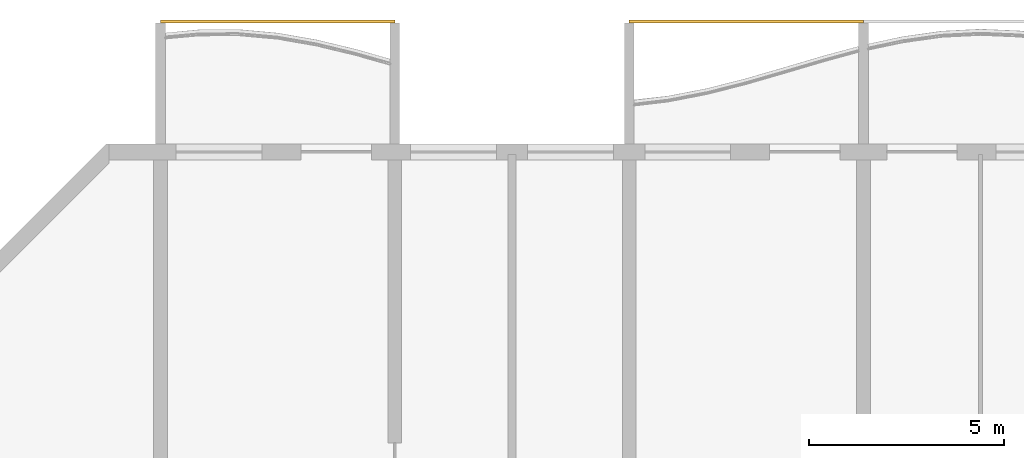
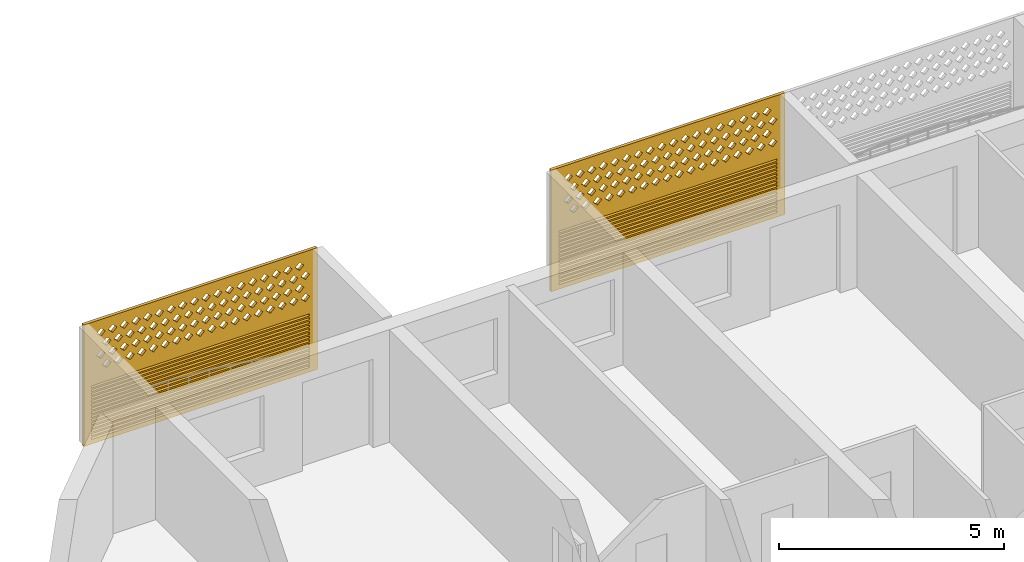
# One storey, part 20 of 29: 2 coverings.
"""IFC4 building model written with IfcOpenShell, lengths in metres."""

import ifcopenshell
import ifcopenshell.guid

model = None  # the IFC model being written
_history = None  # IfcOwnerHistory: only IFC2X3 demands one
_inside = {}  # id of a spatial element -> (the spatial element, [elements in it])
_under = {}  # id of a project, library or spatial element -> (it, [spatial elements below it])
_declared = {}  # id of a project -> (the project, [libraries it declares])
_typed = {}  # id of a type object -> (the type object, [elements of that type])
_made_of = {}  # id of a material, layer set ... -> (it, [elements and type objects made of it])


def new_model(schema):
    """Start an empty IFC model of exactly this schema.

    Asked for "IFC4X3", IfcOpenShell would pick the latest addendum, in which some entities
    have other attributes; the version numbers below select the first issue.
    IFC2X3 requires an IfcOwnerHistory on every rooted entity: one is made here for all.
    """
    global model, _history
    if schema == "IFC4X3":
        model = ifcopenshell.file(schema_version=(4, 3, 0, 0))
    else:
        model = ifcopenshell.file(schema=schema)
    _inside.clear()
    _under.clear()
    _declared.clear()
    _typed.clear()
    _made_of.clear()
    _history = None
    if model.schema == "IFC2X3":
        org = make("IfcOrganization", Name="unknown")
        user = make(
            "IfcPersonAndOrganization",
            ThePerson=make("IfcPerson", FamilyName="unknown"),
            TheOrganization=org,
        )
        app = make(
            "IfcApplication",
            ApplicationDeveloper=org,
            Version="unknown",
            ApplicationFullName="unknown",
            ApplicationIdentifier="unknown",
        )
        _history = make(
            "IfcOwnerHistory",
            OwningUser=user,
            OwningApplication=app,
            ChangeAction="ADDED",
            CreationDate=0,
        )
    return model


def make(cls, **values):
    """One entity of the class cls with the attributes given. An attribute that is None is left unset."""
    return model.create_entity(
        cls, **{name: value for name, value in values.items() if value is not None}
    )


def rooted(cls, **values):
    """An entity with a GlobalId (a new one), such as an element, a storey or a relation."""
    return make(cls, GlobalId=ifcopenshell.guid.new(), OwnerHistory=_history, **values)


def si_unit(unit_type, name, prefix=None):
    """IfcSIUnit, for example si_unit("LENGTHUNIT", "METRE", prefix="MILLI")."""
    return make("IfcSIUnit", UnitType=unit_type, Prefix=prefix, Name=name)


def assignment(units):
    """IfcUnitAssignment: the units of a project."""
    return None if units is None else make("IfcUnitAssignment", Units=units)


def point(xyz):
    """IfcCartesianPoint."""
    return None if xyz is None else make("IfcCartesianPoint", Coordinates=xyz)


def direction(xyz):
    """IfcDirection."""
    return None if xyz is None else make("IfcDirection", DirectionRatios=xyz)


def frame(location, z_axis=None, x_axis=None):
    """IfcAxis2Placement3D, a coordinate frame: its origin and axes. An axis left out is left unset."""
    return make(
        "IfcAxis2Placement3D",
        Location=point(location),
        Axis=direction(z_axis),
        RefDirection=direction(x_axis),
    )


def origin():
    """The frame at (0, 0, 0) with its axes left unset."""
    return frame((0.0, 0.0, 0.0))


def place(relative_to, where):
    """IfcLocalPlacement: puts the frame where relative to a parent placement (None: the world)."""
    return make(
        "IfcLocalPlacement", PlacementRelTo=relative_to, RelativePlacement=where
    )


def context(
    kind, dimensions, precision=None, world=None, true_north=None, identifier=None
):
    """IfcGeometricRepresentationContext, for example the 3D "Model" context."""
    return make(
        "IfcGeometricRepresentationContext",
        ContextIdentifier=identifier,
        ContextType=kind,
        CoordinateSpaceDimension=dimensions,
        Precision=precision,
        WorldCoordinateSystem=world,
        TrueNorth=true_north,
    )


def subcontext(parent, identifier, kind, view, scale=None):
    """IfcGeometricRepresentationSubContext, for example "Body" below "Model"."""
    return make(
        "IfcGeometricRepresentationSubContext",
        ContextIdentifier=identifier,
        ContextType=kind,
        ParentContext=parent,
        TargetScale=scale,
        TargetView=view,
    )


def project(units=None, contexts=None):
    """IfcProject with its units and contexts."""
    return rooted(
        "IfcProject",
        Name="project",
        RepresentationContexts=contexts,
        UnitsInContext=assignment(units),
    )


def spatial(cls, under=None, at=None, **own):
    """A site, building, storey or space (cls), placed at a placement, below another one or the project."""
    s = rooted(cls, ObjectPlacement=at, **own)
    if under is not None:
        _under.setdefault(under.id(), (under, []))[1].append(s)
    return s


def polyline(points):
    """IfcPolyline through the points."""
    return make("IfcPolyline", Points=[point(p) for p in points])


def outline(outer, holes=None, kind="AREA"):
    """IfcArbitraryClosedProfileDef: a profile drawn as a closed curve; with holes, ...WithVoids."""
    if holes is None:
        return make("IfcArbitraryClosedProfileDef", ProfileType=kind, OuterCurve=outer)
    return make(
        "IfcArbitraryProfileDefWithVoids",
        ProfileType=kind,
        OuterCurve=outer,
        InnerCurves=holes,
    )


def extrude(swept, where, along, depth):
    """IfcExtrudedAreaSolid: the profile swept, set in the frame where, extruded along a direction by depth."""
    return make(
        "IfcExtrudedAreaSolid",
        SweptArea=swept,
        Position=where,
        ExtrudedDirection=direction(along),
        Depth=depth,
    )


def shape(context_of_items, identifier, shape_type, items):
    """IfcShapeRepresentation: the items that make up one representation, for example the "Body"."""
    return make(
        "IfcShapeRepresentation",
        ContextOfItems=context_of_items,
        RepresentationIdentifier=identifier,
        RepresentationType=shape_type,
        Items=items,
    )


def source(mapping_origin, context_of_items, identifier, shape_type, items):
    """IfcRepresentationMap: a shape defined once, which mapped items show again and again."""
    return make(
        "IfcRepresentationMap",
        MappingOrigin=mapping_origin,
        MappedRepresentation=shape(context_of_items, identifier, shape_type, items),
    )


def transform(
    local_origin,
    x_axis=None,
    y_axis=None,
    z_axis=None,
    scale=None,
    scale2=None,
    scale3=None,
    uniform=True,
):
    """IfcCartesianTransformationOperator3D, or its non-uniform kind. x_axis, y_axis, z_axis: its Axis1, 2, 3."""
    if uniform:
        return make(
            "IfcCartesianTransformationOperator3D",
            Axis1=direction(x_axis),
            Axis2=direction(y_axis),
            LocalOrigin=point(local_origin),
            Scale=scale,
            Axis3=direction(z_axis),
        )
    return make(
        "IfcCartesianTransformationOperator3DnonUniform",
        Axis1=direction(x_axis),
        Axis2=direction(y_axis),
        LocalOrigin=point(local_origin),
        Scale=scale,
        Axis3=direction(z_axis),
        Scale2=scale2,
        Scale3=scale3,
    )


def mapped(mapping_source, mapping_target):
    """IfcMappedItem: shows the shape of a source again, moved by a transform."""
    return make(
        "IfcMappedItem", MappingSource=mapping_source, MappingTarget=mapping_target
    )


def material(Name=None, Category=None):
    """IfcMaterial."""
    return make("IfcMaterial", Name=Name, Category=Category)


def material_profile(
    of_material, cross_section, Name=None, Category=None, Priority=None
):
    """IfcMaterialProfile: a cross section and its material."""
    return make(
        "IfcMaterialProfile",
        Name=Name,
        Material=of_material,
        Profile=cross_section,
        Priority=Priority,
        Category=Category,
    )


def profile_set(profiles, Name=None, composite=None):
    """IfcMaterialProfileSet."""
    return make(
        "IfcMaterialProfileSet",
        Name=Name,
        MaterialProfiles=profiles,
        CompositeProfile=composite,
    )


def made_of(thing, what):
    """Note that an element or type object is made of a material, layer set ...; save() writes the relation."""
    if what is not None:
        _made_of.setdefault(what.id(), (what, []))[1].append(thing)
    return thing


def type_object(cls, material=None, **own):
    """A type object (cls), such as IfcWallType, which elements share."""
    return made_of(rooted(cls, **own), material)


def element(
    cls,
    number,
    at=None,
    inside=None,
    cuts=None,
    type_object=None,
    material=None,
    context=None,
    identifier="Body",
    shape_type=None,
    held_by="IfcProductDefinitionShape",
    body=None,
    shapes=None,
    **own,
):
    """One element of the class cls, such as IfcWall. Its Tag is "e" and its number.

    at: its placement. inside: the storey or other place that contains it. cuts: it is an
    opening in that element (IfcRelVoidsElement). A single representation is given by context,
    identifier, shape_type and body (its items); several are given by shapes. held_by: the class
    of the entity that holds the representations. save() writes the other relations.
    """
    e = rooted(cls, Tag="e%d" % number, ObjectPlacement=at, **own)
    if body is not None:
        shapes = [shape(context, identifier, shape_type, body)]
    if shapes is not None:
        e.Representation = make(held_by, Representations=shapes)
    if inside is not None:
        _inside.setdefault(inside.id(), (inside, []))[1].append(e)
    if cuts is not None:
        rooted(
            "IfcRelVoidsElement", RelatingBuildingElement=cuts, RelatedOpeningElement=e
        )
    if type_object is not None:
        _typed.setdefault(type_object.id(), (type_object, []))[1].append(e)
    return made_of(e, material)


def aggregate(whole, parts):
    """IfcRelAggregates: a whole, such as a stair, and the parts it consists of."""
    return rooted("IfcRelAggregates", RelatingObject=whole, RelatedObjects=parts)


def save(model, path):
    """Write the relations noted so far, then the file.

    IfcRelAggregates (storeys below a building ...), IfcRelContainedInSpatialStructure (elements
    in a storey), IfcRelDefinesByType, IfcRelAssociatesMaterial and IfcRelDeclares: one each for
    every whole, place, type object, material and project.
    """
    for whole, parts in _under.values():
        aggregate(whole, parts)
    for where, things in _inside.values():
        rooted(
            "IfcRelContainedInSpatialStructure",
            RelatedElements=things,
            RelatingStructure=where,
        )
    for kind, things in _typed.values():
        rooted("IfcRelDefinesByType", RelatedObjects=things, RelatingType=kind)
    for what, things in _made_of.values():
        rooted("IfcRelAssociatesMaterial", RelatedObjects=things, RelatingMaterial=what)
    for by, libraries in _declared.values():
        rooted("IfcRelDeclares", RelatingContext=by, RelatedDefinitions=libraries)
    model.write(path)


model = new_model("IFC4")

# Units and contexts
model_context = context("Model", 3, precision=1e-05, world=origin(), true_north=direction((0.0, 1.0)))
body_context = subcontext(model_context, "Body", "Model", "MODEL_VIEW")
ifc_project = project(units=[si_unit("LENGTHUNIT", "METRE"), si_unit("AREAUNIT", "SQUARE_METRE"), si_unit("VOLUMEUNIT", "CUBIC_METRE"), si_unit("PLANEANGLEUNIT", "RADIAN"), si_unit("MASSUNIT", "GRAM", prefix="KILO")], contexts=[model_context])

# Site, building, storey
site_placement = place(None, origin())
site = spatial("IfcSite", under=ifc_project, at=site_placement, CompositionType="ELEMENT")
building_placement = place(site_placement, origin())
building = spatial("IfcBuilding", under=site, at=building_placement, Name="Poui Terraces", CompositionType="ELEMENT")
storey_placement = place(building_placement, frame((0.0, 0.0, 86.10009765625)))
storey = spatial("IfcBuildingStorey", under=building, at=storey_placement, Name="L23", CompositionType="ELEMENT", Elevation=86.10009765625)

# Coverings
ifc_material = material(Name="Terracotta screen", Category="masonry")
ifc_material_profile = material_profile(ifc_material, outline(polyline([(-3.0, -1.64990234375), (3.0, -1.64990234375), (3.0, 1.64990234375), (-3.0, 1.64990234375), (-3.0, -1.64990234375)]), holes=[polyline([(-2.800048828125, 0.39990234375), (-2.68994140625, 0.2900390625), (-2.580078125, 0.39990234375), (-2.68994140625, 0.510009765625), (-2.800048828125, 0.39990234375)]), polyline([(-2.5, 0.39990234375), (-2.389892578125, 0.2900390625), (-2.280029296875, 0.39990234375), (-2.389892578125, 0.510009765625), (-2.5, 0.39990234375)]), polyline([(-2.199951171875, 0.39990234375), (-2.090087890625, 0.2900390625), (-1.97998046875, 0.39990234375), (-2.090087890625, 0.510009765625), (-2.199951171875, 0.39990234375)]), polyline([(-1.89990234375, 0.39990234375), (-1.7900390625, 0.2900390625), (-1.679931640625, 0.39990234375), (-1.7900390625, 0.510009765625), (-1.89990234375, 0.39990234375)]), polyline([(-1.60009765625, 0.39990234375), (-1.489990234375, 0.2900390625), (-1.3798828125, 0.39990234375), (-1.489990234375, 0.510009765625), (-1.60009765625, 0.39990234375)]), polyline([(-1.300048828125, 0.39990234375), (-1.18994140625, 0.2900390625), (-1.080078125, 0.39990234375), (-1.18994140625, 0.510009765625), (-1.300048828125, 0.39990234375)]), polyline([(-1.0, 0.39990234375), (-0.889892578125, 0.2900390625), (-0.780029296875, 0.39990234375), (-0.889892578125, 0.510009765625), (-1.0, 0.39990234375)]), polyline([(-0.699951171875, 0.39990234375), (-0.590087890625, 0.2900390625), (-0.47998046875, 0.39990234375), (-0.590087890625, 0.510009765625), (-0.699951171875, 0.39990234375)]), polyline([(-0.39990234375, 0.39990234375), (-0.2900390625, 0.2900390625), (-0.179931640625, 0.39990234375), (-0.2900390625, 0.510009765625), (-0.39990234375, 0.39990234375)]), polyline([(-0.10009765625, 0.39990234375), (0.010009765625, 0.2900390625), (0.1201171875, 0.39990234375), (0.010009765625, 0.510009765625), (-0.10009765625, 0.39990234375)]), polyline([(0.199951171875, 0.39990234375), (0.31005859375, 0.2900390625), (0.419921875, 0.39990234375), (0.31005859375, 0.510009765625), (0.199951171875, 0.39990234375)]), polyline([(0.5, 0.39990234375), (0.610107421875, 0.2900390625), (0.719970703125, 0.39990234375), (0.610107421875, 0.510009765625), (0.5, 0.39990234375)]), polyline([(0.800048828125, 0.39990234375), (0.909912109375, 0.2900390625), (1.02001953125, 0.39990234375), (0.909912109375, 0.510009765625), (0.800048828125, 0.39990234375)]), polyline([(1.10009765625, 0.39990234375), (1.2099609375, 0.2900390625), (1.320068359375, 0.39990234375), (1.2099609375, 0.510009765625), (1.10009765625, 0.39990234375)]), polyline([(1.39990234375, 0.39990234375), (1.510009765625, 0.2900390625), (1.6201171875, 0.39990234375), (1.510009765625, 0.510009765625), (1.39990234375, 0.39990234375)]), polyline([(1.699951171875, 0.39990234375), (1.81005859375, 0.2900390625), (1.919921875, 0.39990234375), (1.81005859375, 0.510009765625), (1.699951171875, 0.39990234375)]), polyline([(2.0, 0.39990234375), (2.110107421875, 0.2900390625), (2.219970703125, 0.39990234375), (2.110107421875, 0.510009765625), (2.0, 0.39990234375)]), polyline([(2.300048828125, 0.39990234375), (2.409912109375, 0.2900390625), (2.52001953125, 0.39990234375), (2.409912109375, 0.510009765625), (2.300048828125, 0.39990234375)]), polyline([(-2.64990234375, 0.699951171875), (-2.5400390625, 0.590087890625), (-2.429931640625, 0.699951171875), (-2.5400390625, 0.81005859375), (-2.64990234375, 0.699951171875)]), polyline([(-2.35009765625, 0.699951171875), (-2.239990234375, 0.590087890625), (-2.1298828125, 0.699951171875), (-2.239990234375, 0.81005859375), (-2.35009765625, 0.699951171875)]), polyline([(-2.050048828125, 0.699951171875), (-1.93994140625, 0.590087890625), (-1.830078125, 0.699951171875), (-1.93994140625, 0.81005859375), (-2.050048828125, 0.699951171875)]), polyline([(-1.75, 0.699951171875), (-1.639892578125, 0.590087890625), (-1.530029296875, 0.699951171875), (-1.639892578125, 0.81005859375), (-1.75, 0.699951171875)]), polyline([(-1.449951171875, 0.699951171875), (-1.340087890625, 0.590087890625), (-1.22998046875, 0.699951171875), (-1.340087890625, 0.81005859375), (-1.449951171875, 0.699951171875)]), polyline([(-1.14990234375, 0.699951171875), (-1.0400390625, 0.590087890625), (-0.929931640625, 0.699951171875), (-1.0400390625, 0.81005859375), (-1.14990234375, 0.699951171875)]), polyline([(-0.85009765625, 0.699951171875), (-0.739990234375, 0.590087890625), (-0.6298828125, 0.699951171875), (-0.739990234375, 0.81005859375), (-0.85009765625, 0.699951171875)]), polyline([(-0.550048828125, 0.699951171875), (-0.43994140625, 0.590087890625), (-0.330078125, 0.699951171875), (-0.43994140625, 0.81005859375), (-0.550048828125, 0.699951171875)]), polyline([(-0.25, 0.699951171875), (-0.139892578125, 0.590087890625), (-0.030029296875, 0.699951171875), (-0.139892578125, 0.81005859375), (-0.25, 0.699951171875)]), polyline([(0.050048828125, 0.699951171875), (0.159912109375, 0.590087890625), (0.27001953125, 0.699951171875), (0.159912109375, 0.81005859375), (0.050048828125, 0.699951171875)]), polyline([(0.35009765625, 0.699951171875), (0.4599609375, 0.590087890625), (0.570068359375, 0.699951171875), (0.4599609375, 0.81005859375), (0.35009765625, 0.699951171875)]), polyline([(0.64990234375, 0.699951171875), (0.760009765625, 0.590087890625), (0.8701171875, 0.699951171875), (0.760009765625, 0.81005859375), (0.64990234375, 0.699951171875)]), polyline([(0.949951171875, 0.699951171875), (1.06005859375, 0.590087890625), (1.169921875, 0.699951171875), (1.06005859375, 0.81005859375), (0.949951171875, 0.699951171875)]), polyline([(1.25, 0.699951171875), (1.360107421875, 0.590087890625), (1.469970703125, 0.699951171875), (1.360107421875, 0.81005859375), (1.25, 0.699951171875)]), polyline([(1.550048828125, 0.699951171875), (1.659912109375, 0.590087890625), (1.77001953125, 0.699951171875), (1.659912109375, 0.81005859375), (1.550048828125, 0.699951171875)]), polyline([(1.85009765625, 0.699951171875), (1.9599609375, 0.590087890625), (2.070068359375, 0.699951171875), (1.9599609375, 0.81005859375), (1.85009765625, 0.699951171875)]), polyline([(2.14990234375, 0.699951171875), (2.260009765625, 0.590087890625), (2.3701171875, 0.699951171875), (2.260009765625, 0.81005859375), (2.14990234375, 0.699951171875)]), polyline([(2.449951171875, 0.699951171875), (2.56005859375, 0.590087890625), (2.669921875, 0.699951171875), (2.56005859375, 0.81005859375), (2.449951171875, 0.699951171875)]), polyline([(-2.800048828125, 1.0), (-2.68994140625, 0.889892578125), (-2.580078125, 1.0), (-2.68994140625, 1.110107421875), (-2.800048828125, 1.0)]), polyline([(-2.5, 1.0), (-2.389892578125, 0.889892578125), (-2.280029296875, 1.0), (-2.389892578125, 1.110107421875), (-2.5, 1.0)]), polyline([(-2.199951171875, 1.0), (-2.090087890625, 0.889892578125), (-1.97998046875, 1.0), (-2.090087890625, 1.110107421875), (-2.199951171875, 1.0)]), polyline([(-1.89990234375, 1.0), (-1.7900390625, 0.889892578125), (-1.679931640625, 1.0), (-1.7900390625, 1.110107421875), (-1.89990234375, 1.0)]), polyline([(-1.60009765625, 1.0), (-1.489990234375, 0.889892578125), (-1.3798828125, 1.0), (-1.489990234375, 1.110107421875), (-1.60009765625, 1.0)]), polyline([(-1.300048828125, 1.0), (-1.18994140625, 0.889892578125), (-1.080078125, 1.0), (-1.18994140625, 1.110107421875), (-1.300048828125, 1.0)]), polyline([(-1.0, 1.0), (-0.889892578125, 0.889892578125), (-0.780029296875, 1.0), (-0.889892578125, 1.110107421875), (-1.0, 1.0)]), polyline([(-0.699951171875, 1.0), (-0.590087890625, 0.889892578125), (-0.47998046875, 1.0), (-0.590087890625, 1.110107421875), (-0.699951171875, 1.0)]), polyline([(-0.39990234375, 1.0), (-0.2900390625, 0.889892578125), (-0.179931640625, 1.0), (-0.2900390625, 1.110107421875), (-0.39990234375, 1.0)]), polyline([(-0.10009765625, 1.0), (0.010009765625, 0.889892578125), (0.1201171875, 1.0), (0.010009765625, 1.110107421875), (-0.10009765625, 1.0)]), polyline([(0.199951171875, 1.0), (0.31005859375, 0.889892578125), (0.419921875, 1.0), (0.31005859375, 1.110107421875), (0.199951171875, 1.0)]), polyline([(0.5, 1.0), (0.610107421875, 0.889892578125), (0.719970703125, 1.0), (0.610107421875, 1.110107421875), (0.5, 1.0)]), polyline([(0.800048828125, 1.0), (0.909912109375, 0.889892578125), (1.02001953125, 1.0), (0.909912109375, 1.110107421875), (0.800048828125, 1.0)]), polyline([(1.10009765625, 1.0), (1.2099609375, 0.889892578125), (1.320068359375, 1.0), (1.2099609375, 1.110107421875), (1.10009765625, 1.0)]), polyline([(1.39990234375, 1.0), (1.510009765625, 0.889892578125), (1.6201171875, 1.0), (1.510009765625, 1.110107421875), (1.39990234375, 1.0)]), polyline([(1.699951171875, 1.0), (1.81005859375, 0.889892578125), (1.919921875, 1.0), (1.81005859375, 1.110107421875), (1.699951171875, 1.0)]), polyline([(2.0, 1.0), (2.110107421875, 0.889892578125), (2.219970703125, 1.0), (2.110107421875, 1.110107421875), (2.0, 1.0)]), polyline([(2.300048828125, 1.0), (2.409912109375, 0.889892578125), (2.52001953125, 1.0), (2.409912109375, 1.110107421875), (2.300048828125, 1.0)]), polyline([(-2.64990234375, 1.300048828125), (-2.5400390625, 1.18994140625), (-2.429931640625, 1.300048828125), (-2.5400390625, 1.409912109375), (-2.64990234375, 1.300048828125)]), polyline([(-2.35009765625, 1.300048828125), (-2.239990234375, 1.18994140625), (-2.1298828125, 1.300048828125), (-2.239990234375, 1.409912109375), (-2.35009765625, 1.300048828125)]), polyline([(-2.050048828125, 1.300048828125), (-1.93994140625, 1.18994140625), (-1.830078125, 1.300048828125), (-1.93994140625, 1.409912109375), (-2.050048828125, 1.300048828125)]), polyline([(-1.75, 1.300048828125), (-1.639892578125, 1.18994140625), (-1.530029296875, 1.300048828125), (-1.639892578125, 1.409912109375), (-1.75, 1.300048828125)]), polyline([(-1.449951171875, 1.300048828125), (-1.340087890625, 1.18994140625), (-1.22998046875, 1.300048828125), (-1.340087890625, 1.409912109375), (-1.449951171875, 1.300048828125)]), polyline([(-1.14990234375, 1.300048828125), (-1.0400390625, 1.18994140625), (-0.929931640625, 1.300048828125), (-1.0400390625, 1.409912109375), (-1.14990234375, 1.300048828125)]), polyline([(-0.85009765625, 1.300048828125), (-0.739990234375, 1.18994140625), (-0.6298828125, 1.300048828125), (-0.739990234375, 1.409912109375), (-0.85009765625, 1.300048828125)]), polyline([(-0.550048828125, 1.300048828125), (-0.43994140625, 1.18994140625), (-0.330078125, 1.300048828125), (-0.43994140625, 1.409912109375), (-0.550048828125, 1.300048828125)]), polyline([(-0.25, 1.300048828125), (-0.139892578125, 1.18994140625), (-0.030029296875, 1.300048828125), (-0.139892578125, 1.409912109375), (-0.25, 1.300048828125)]), polyline([(0.050048828125, 1.300048828125), (0.159912109375, 1.18994140625), (0.27001953125, 1.300048828125), (0.159912109375, 1.409912109375), (0.050048828125, 1.300048828125)]), polyline([(0.35009765625, 1.300048828125), (0.4599609375, 1.18994140625), (0.570068359375, 1.300048828125), (0.4599609375, 1.409912109375), (0.35009765625, 1.300048828125)]), polyline([(0.64990234375, 1.300048828125), (0.760009765625, 1.18994140625), (0.8701171875, 1.300048828125), (0.760009765625, 1.409912109375), (0.64990234375, 1.300048828125)]), polyline([(0.949951171875, 1.300048828125), (1.06005859375, 1.18994140625), (1.169921875, 1.300048828125), (1.06005859375, 1.409912109375), (0.949951171875, 1.300048828125)]), polyline([(1.25, 1.300048828125), (1.360107421875, 1.18994140625), (1.469970703125, 1.300048828125), (1.360107421875, 1.409912109375), (1.25, 1.300048828125)]), polyline([(1.550048828125, 1.300048828125), (1.659912109375, 1.18994140625), (1.77001953125, 1.300048828125), (1.659912109375, 1.409912109375), (1.550048828125, 1.300048828125)]), polyline([(1.85009765625, 1.300048828125), (1.9599609375, 1.18994140625), (2.070068359375, 1.300048828125), (1.9599609375, 1.409912109375), (1.85009765625, 1.300048828125)]), polyline([(2.14990234375, 1.300048828125), (2.260009765625, 1.18994140625), (2.3701171875, 1.300048828125), (2.260009765625, 1.409912109375), (2.14990234375, 1.300048828125)]), polyline([(2.449951171875, 1.300048828125), (2.56005859375, 1.18994140625), (2.669921875, 1.300048828125), (2.56005859375, 1.409912109375), (2.449951171875, 1.300048828125)]), polyline([(-2.800048828125, -1.530029296875), (2.800048828125, -1.530029296875), (2.800048828125, -1.469970703125), (-2.800048828125, -1.469970703125), (-2.800048828125, -1.530029296875)]), polyline([(-2.800048828125, -1.429931640625), (2.800048828125, -1.429931640625), (2.800048828125, -1.3701171875), (-2.800048828125, -1.3701171875), (-2.800048828125, -1.429931640625)]), polyline([(-2.800048828125, -1.330078125), (2.800048828125, -1.330078125), (2.800048828125, -1.27001953125), (-2.800048828125, -1.27001953125), (-2.800048828125, -1.330078125)]), polyline([(-2.800048828125, -1.22998046875), (2.800048828125, -1.22998046875), (2.800048828125, -1.169921875), (-2.800048828125, -1.169921875), (-2.800048828125, -1.22998046875)]), polyline([(-2.800048828125, -1.1298828125), (2.800048828125, -1.1298828125), (2.800048828125, -1.070068359375), (-2.800048828125, -1.070068359375), (-2.800048828125, -1.1298828125)]), polyline([(-2.800048828125, -1.030029296875), (2.800048828125, -1.030029296875), (2.800048828125, -0.969970703125), (-2.800048828125, -0.969970703125), (-2.800048828125, -1.030029296875)]), polyline([(-2.800048828125, -0.929931640625), (2.800048828125, -0.929931640625), (2.800048828125, -0.8701171875), (-2.800048828125, -0.8701171875), (-2.800048828125, -0.929931640625)]), polyline([(-2.800048828125, -0.830078125), (2.800048828125, -0.830078125), (2.800048828125, -0.77001953125), (-2.800048828125, -0.77001953125), (-2.800048828125, -0.830078125)]), polyline([(-2.800048828125, -0.72998046875), (2.800048828125, -0.72998046875), (2.800048828125, -0.669921875), (-2.800048828125, -0.669921875), (-2.800048828125, -0.72998046875)]), polyline([(-2.800048828125, -0.6298828125), (2.800048828125, -0.6298828125), (2.800048828125, -0.570068359375), (-2.800048828125, -0.570068359375), (-2.800048828125, -0.6298828125)]), polyline([(-2.800048828125, -0.530029296875), (2.800048828125, -0.530029296875), (2.800048828125, -0.469970703125), (-2.800048828125, -0.469970703125), (-2.800048828125, -0.530029296875)]), polyline([(-2.800048828125, -0.429931640625), (2.800048828125, -0.429931640625), (2.800048828125, -0.3701171875), (-2.800048828125, -0.3701171875), (-2.800048828125, -0.429931640625)]), polyline([(-2.800048828125, -0.330078125), (2.800048828125, -0.330078125), (2.800048828125, -0.27001953125), (-2.800048828125, -0.27001953125), (-2.800048828125, -0.330078125)]), polyline([(-2.800048828125, -0.22998046875), (2.800048828125, -0.22998046875), (2.800048828125, -0.169921875), (-2.800048828125, -0.169921875), (-2.800048828125, -0.22998046875)]), polyline([(-2.800048828125, -0.1298828125), (2.800048828125, -0.1298828125), (2.800048828125, -0.070068359375), (-2.800048828125, -0.070068359375), (-2.800048828125, -0.1298828125)])]), Name="TERRACOTTA SCREEN AND JALOUSIE LOUVRE 6000X3300")
ifc_profile_set = profile_set([ifc_material_profile], Name="Terracotta screen")
covering_type = type_object("IfcCoveringType", Name="TERRACOTTA SCREEN AND JALOUSIE LOUVRE 6000X3300", PredefinedType="CLADDING", material=ifc_profile_set)
shared_shape = source(origin(), body_context, "Body", "SweptSolid", [
    extrude(outline(polyline([(-3.0, -1.64990234375), (3.0, -1.64990234375), (3.0, 1.64990234375), (-3.0, 1.64990234375), (-3.0, -1.64990234375)]), holes=[polyline([(-2.800048828125, 0.39990234375), (-2.68994140625, 0.2900390625), (-2.580078125, 0.39990234375), (-2.68994140625, 0.510009765625), (-2.800048828125, 0.39990234375)]), polyline([(-2.5, 0.39990234375), (-2.389892578125, 0.2900390625), (-2.280029296875, 0.39990234375), (-2.389892578125, 0.510009765625), (-2.5, 0.39990234375)]), polyline([(-2.199951171875, 0.39990234375), (-2.090087890625, 0.2900390625), (-1.97998046875, 0.39990234375), (-2.090087890625, 0.510009765625), (-2.199951171875, 0.39990234375)]), polyline([(-1.89990234375, 0.39990234375), (-1.7900390625, 0.2900390625), (-1.679931640625, 0.39990234375), (-1.7900390625, 0.510009765625), (-1.89990234375, 0.39990234375)]), polyline([(-1.60009765625, 0.39990234375), (-1.489990234375, 0.2900390625), (-1.3798828125, 0.39990234375), (-1.489990234375, 0.510009765625), (-1.60009765625, 0.39990234375)]), polyline([(-1.300048828125, 0.39990234375), (-1.18994140625, 0.2900390625), (-1.080078125, 0.39990234375), (-1.18994140625, 0.510009765625), (-1.300048828125, 0.39990234375)]), polyline([(-1.0, 0.39990234375), (-0.889892578125, 0.2900390625), (-0.780029296875, 0.39990234375), (-0.889892578125, 0.510009765625), (-1.0, 0.39990234375)]), polyline([(-0.699951171875, 0.39990234375), (-0.590087890625, 0.2900390625), (-0.47998046875, 0.39990234375), (-0.590087890625, 0.510009765625), (-0.699951171875, 0.39990234375)]), polyline([(-0.39990234375, 0.39990234375), (-0.2900390625, 0.2900390625), (-0.179931640625, 0.39990234375), (-0.2900390625, 0.510009765625), (-0.39990234375, 0.39990234375)]), polyline([(-0.10009765625, 0.39990234375), (0.010009765625, 0.2900390625), (0.1201171875, 0.39990234375), (0.010009765625, 0.510009765625), (-0.10009765625, 0.39990234375)]), polyline([(0.199951171875, 0.39990234375), (0.31005859375, 0.2900390625), (0.419921875, 0.39990234375), (0.31005859375, 0.510009765625), (0.199951171875, 0.39990234375)]), polyline([(0.5, 0.39990234375), (0.610107421875, 0.2900390625), (0.719970703125, 0.39990234375), (0.610107421875, 0.510009765625), (0.5, 0.39990234375)]), polyline([(0.800048828125, 0.39990234375), (0.909912109375, 0.2900390625), (1.02001953125, 0.39990234375), (0.909912109375, 0.510009765625), (0.800048828125, 0.39990234375)]), polyline([(1.10009765625, 0.39990234375), (1.2099609375, 0.2900390625), (1.320068359375, 0.39990234375), (1.2099609375, 0.510009765625), (1.10009765625, 0.39990234375)]), polyline([(1.39990234375, 0.39990234375), (1.510009765625, 0.2900390625), (1.6201171875, 0.39990234375), (1.510009765625, 0.510009765625), (1.39990234375, 0.39990234375)]), polyline([(1.699951171875, 0.39990234375), (1.81005859375, 0.2900390625), (1.919921875, 0.39990234375), (1.81005859375, 0.510009765625), (1.699951171875, 0.39990234375)]), polyline([(2.0, 0.39990234375), (2.110107421875, 0.2900390625), (2.219970703125, 0.39990234375), (2.110107421875, 0.510009765625), (2.0, 0.39990234375)]), polyline([(2.300048828125, 0.39990234375), (2.409912109375, 0.2900390625), (2.52001953125, 0.39990234375), (2.409912109375, 0.510009765625), (2.300048828125, 0.39990234375)]), polyline([(-2.64990234375, 0.699951171875), (-2.5400390625, 0.590087890625), (-2.429931640625, 0.699951171875), (-2.5400390625, 0.81005859375), (-2.64990234375, 0.699951171875)]), polyline([(-2.35009765625, 0.699951171875), (-2.239990234375, 0.590087890625), (-2.1298828125, 0.699951171875), (-2.239990234375, 0.81005859375), (-2.35009765625, 0.699951171875)]), polyline([(-2.050048828125, 0.699951171875), (-1.93994140625, 0.590087890625), (-1.830078125, 0.699951171875), (-1.93994140625, 0.81005859375), (-2.050048828125, 0.699951171875)]), polyline([(-1.75, 0.699951171875), (-1.639892578125, 0.590087890625), (-1.530029296875, 0.699951171875), (-1.639892578125, 0.81005859375), (-1.75, 0.699951171875)]), polyline([(-1.449951171875, 0.699951171875), (-1.340087890625, 0.590087890625), (-1.22998046875, 0.699951171875), (-1.340087890625, 0.81005859375), (-1.449951171875, 0.699951171875)]), polyline([(-1.14990234375, 0.699951171875), (-1.0400390625, 0.590087890625), (-0.929931640625, 0.699951171875), (-1.0400390625, 0.81005859375), (-1.14990234375, 0.699951171875)]), polyline([(-0.85009765625, 0.699951171875), (-0.739990234375, 0.590087890625), (-0.6298828125, 0.699951171875), (-0.739990234375, 0.81005859375), (-0.85009765625, 0.699951171875)]), polyline([(-0.550048828125, 0.699951171875), (-0.43994140625, 0.590087890625), (-0.330078125, 0.699951171875), (-0.43994140625, 0.81005859375), (-0.550048828125, 0.699951171875)]), polyline([(-0.25, 0.699951171875), (-0.139892578125, 0.590087890625), (-0.030029296875, 0.699951171875), (-0.139892578125, 0.81005859375), (-0.25, 0.699951171875)]), polyline([(0.050048828125, 0.699951171875), (0.159912109375, 0.590087890625), (0.27001953125, 0.699951171875), (0.159912109375, 0.81005859375), (0.050048828125, 0.699951171875)]), polyline([(0.35009765625, 0.699951171875), (0.4599609375, 0.590087890625), (0.570068359375, 0.699951171875), (0.4599609375, 0.81005859375), (0.35009765625, 0.699951171875)]), polyline([(0.64990234375, 0.699951171875), (0.760009765625, 0.590087890625), (0.8701171875, 0.699951171875), (0.760009765625, 0.81005859375), (0.64990234375, 0.699951171875)]), polyline([(0.949951171875, 0.699951171875), (1.06005859375, 0.590087890625), (1.169921875, 0.699951171875), (1.06005859375, 0.81005859375), (0.949951171875, 0.699951171875)]), polyline([(1.25, 0.699951171875), (1.360107421875, 0.590087890625), (1.469970703125, 0.699951171875), (1.360107421875, 0.81005859375), (1.25, 0.699951171875)]), polyline([(1.550048828125, 0.699951171875), (1.659912109375, 0.590087890625), (1.77001953125, 0.699951171875), (1.659912109375, 0.81005859375), (1.550048828125, 0.699951171875)]), polyline([(1.85009765625, 0.699951171875), (1.9599609375, 0.590087890625), (2.070068359375, 0.699951171875), (1.9599609375, 0.81005859375), (1.85009765625, 0.699951171875)]), polyline([(2.14990234375, 0.699951171875), (2.260009765625, 0.590087890625), (2.3701171875, 0.699951171875), (2.260009765625, 0.81005859375), (2.14990234375, 0.699951171875)]), polyline([(2.449951171875, 0.699951171875), (2.56005859375, 0.590087890625), (2.669921875, 0.699951171875), (2.56005859375, 0.81005859375), (2.449951171875, 0.699951171875)]), polyline([(-2.800048828125, 1.0), (-2.68994140625, 0.889892578125), (-2.580078125, 1.0), (-2.68994140625, 1.110107421875), (-2.800048828125, 1.0)]), polyline([(-2.5, 1.0), (-2.389892578125, 0.889892578125), (-2.280029296875, 1.0), (-2.389892578125, 1.110107421875), (-2.5, 1.0)]), polyline([(-2.199951171875, 1.0), (-2.090087890625, 0.889892578125), (-1.97998046875, 1.0), (-2.090087890625, 1.110107421875), (-2.199951171875, 1.0)]), polyline([(-1.89990234375, 1.0), (-1.7900390625, 0.889892578125), (-1.679931640625, 1.0), (-1.7900390625, 1.110107421875), (-1.89990234375, 1.0)]), polyline([(-1.60009765625, 1.0), (-1.489990234375, 0.889892578125), (-1.3798828125, 1.0), (-1.489990234375, 1.110107421875), (-1.60009765625, 1.0)]), polyline([(-1.300048828125, 1.0), (-1.18994140625, 0.889892578125), (-1.080078125, 1.0), (-1.18994140625, 1.110107421875), (-1.300048828125, 1.0)]), polyline([(-1.0, 1.0), (-0.889892578125, 0.889892578125), (-0.780029296875, 1.0), (-0.889892578125, 1.110107421875), (-1.0, 1.0)]), polyline([(-0.699951171875, 1.0), (-0.590087890625, 0.889892578125), (-0.47998046875, 1.0), (-0.590087890625, 1.110107421875), (-0.699951171875, 1.0)]), polyline([(-0.39990234375, 1.0), (-0.2900390625, 0.889892578125), (-0.179931640625, 1.0), (-0.2900390625, 1.110107421875), (-0.39990234375, 1.0)]), polyline([(-0.10009765625, 1.0), (0.010009765625, 0.889892578125), (0.1201171875, 1.0), (0.010009765625, 1.110107421875), (-0.10009765625, 1.0)]), polyline([(0.199951171875, 1.0), (0.31005859375, 0.889892578125), (0.419921875, 1.0), (0.31005859375, 1.110107421875), (0.199951171875, 1.0)]), polyline([(0.5, 1.0), (0.610107421875, 0.889892578125), (0.719970703125, 1.0), (0.610107421875, 1.110107421875), (0.5, 1.0)]), polyline([(0.800048828125, 1.0), (0.909912109375, 0.889892578125), (1.02001953125, 1.0), (0.909912109375, 1.110107421875), (0.800048828125, 1.0)]), polyline([(1.10009765625, 1.0), (1.2099609375, 0.889892578125), (1.320068359375, 1.0), (1.2099609375, 1.110107421875), (1.10009765625, 1.0)]), polyline([(1.39990234375, 1.0), (1.510009765625, 0.889892578125), (1.6201171875, 1.0), (1.510009765625, 1.110107421875), (1.39990234375, 1.0)]), polyline([(1.699951171875, 1.0), (1.81005859375, 0.889892578125), (1.919921875, 1.0), (1.81005859375, 1.110107421875), (1.699951171875, 1.0)]), polyline([(2.0, 1.0), (2.110107421875, 0.889892578125), (2.219970703125, 1.0), (2.110107421875, 1.110107421875), (2.0, 1.0)]), polyline([(2.300048828125, 1.0), (2.409912109375, 0.889892578125), (2.52001953125, 1.0), (2.409912109375, 1.110107421875), (2.300048828125, 1.0)]), polyline([(-2.64990234375, 1.300048828125), (-2.5400390625, 1.18994140625), (-2.429931640625, 1.300048828125), (-2.5400390625, 1.409912109375), (-2.64990234375, 1.300048828125)]), polyline([(-2.35009765625, 1.300048828125), (-2.239990234375, 1.18994140625), (-2.1298828125, 1.300048828125), (-2.239990234375, 1.409912109375), (-2.35009765625, 1.300048828125)]), polyline([(-2.050048828125, 1.300048828125), (-1.93994140625, 1.18994140625), (-1.830078125, 1.300048828125), (-1.93994140625, 1.409912109375), (-2.050048828125, 1.300048828125)]), polyline([(-1.75, 1.300048828125), (-1.639892578125, 1.18994140625), (-1.530029296875, 1.300048828125), (-1.639892578125, 1.409912109375), (-1.75, 1.300048828125)]), polyline([(-1.449951171875, 1.300048828125), (-1.340087890625, 1.18994140625), (-1.22998046875, 1.300048828125), (-1.340087890625, 1.409912109375), (-1.449951171875, 1.300048828125)]), polyline([(-1.14990234375, 1.300048828125), (-1.0400390625, 1.18994140625), (-0.929931640625, 1.300048828125), (-1.0400390625, 1.409912109375), (-1.14990234375, 1.300048828125)]), polyline([(-0.85009765625, 1.300048828125), (-0.739990234375, 1.18994140625), (-0.6298828125, 1.300048828125), (-0.739990234375, 1.409912109375), (-0.85009765625, 1.300048828125)]), polyline([(-0.550048828125, 1.300048828125), (-0.43994140625, 1.18994140625), (-0.330078125, 1.300048828125), (-0.43994140625, 1.409912109375), (-0.550048828125, 1.300048828125)]), polyline([(-0.25, 1.300048828125), (-0.139892578125, 1.18994140625), (-0.030029296875, 1.300048828125), (-0.139892578125, 1.409912109375), (-0.25, 1.300048828125)]), polyline([(0.050048828125, 1.300048828125), (0.159912109375, 1.18994140625), (0.27001953125, 1.300048828125), (0.159912109375, 1.409912109375), (0.050048828125, 1.300048828125)]), polyline([(0.35009765625, 1.300048828125), (0.4599609375, 1.18994140625), (0.570068359375, 1.300048828125), (0.4599609375, 1.409912109375), (0.35009765625, 1.300048828125)]), polyline([(0.64990234375, 1.300048828125), (0.760009765625, 1.18994140625), (0.8701171875, 1.300048828125), (0.760009765625, 1.409912109375), (0.64990234375, 1.300048828125)]), polyline([(0.949951171875, 1.300048828125), (1.06005859375, 1.18994140625), (1.169921875, 1.300048828125), (1.06005859375, 1.409912109375), (0.949951171875, 1.300048828125)]), polyline([(1.25, 1.300048828125), (1.360107421875, 1.18994140625), (1.469970703125, 1.300048828125), (1.360107421875, 1.409912109375), (1.25, 1.300048828125)]), polyline([(1.550048828125, 1.300048828125), (1.659912109375, 1.18994140625), (1.77001953125, 1.300048828125), (1.659912109375, 1.409912109375), (1.550048828125, 1.300048828125)]), polyline([(1.85009765625, 1.300048828125), (1.9599609375, 1.18994140625), (2.070068359375, 1.300048828125), (1.9599609375, 1.409912109375), (1.85009765625, 1.300048828125)]), polyline([(2.14990234375, 1.300048828125), (2.260009765625, 1.18994140625), (2.3701171875, 1.300048828125), (2.260009765625, 1.409912109375), (2.14990234375, 1.300048828125)]), polyline([(2.449951171875, 1.300048828125), (2.56005859375, 1.18994140625), (2.669921875, 1.300048828125), (2.56005859375, 1.409912109375), (2.449951171875, 1.300048828125)]), polyline([(-2.800048828125, -1.530029296875), (2.800048828125, -1.530029296875), (2.800048828125, -1.469970703125), (-2.800048828125, -1.469970703125), (-2.800048828125, -1.530029296875)]), polyline([(-2.800048828125, -1.429931640625), (2.800048828125, -1.429931640625), (2.800048828125, -1.3701171875), (-2.800048828125, -1.3701171875), (-2.800048828125, -1.429931640625)]), polyline([(-2.800048828125, -1.330078125), (2.800048828125, -1.330078125), (2.800048828125, -1.27001953125), (-2.800048828125, -1.27001953125), (-2.800048828125, -1.330078125)]), polyline([(-2.800048828125, -1.22998046875), (2.800048828125, -1.22998046875), (2.800048828125, -1.169921875), (-2.800048828125, -1.169921875), (-2.800048828125, -1.22998046875)]), polyline([(-2.800048828125, -1.1298828125), (2.800048828125, -1.1298828125), (2.800048828125, -1.070068359375), (-2.800048828125, -1.070068359375), (-2.800048828125, -1.1298828125)]), polyline([(-2.800048828125, -1.030029296875), (2.800048828125, -1.030029296875), (2.800048828125, -0.969970703125), (-2.800048828125, -0.969970703125), (-2.800048828125, -1.030029296875)]), polyline([(-2.800048828125, -0.929931640625), (2.800048828125, -0.929931640625), (2.800048828125, -0.8701171875), (-2.800048828125, -0.8701171875), (-2.800048828125, -0.929931640625)]), polyline([(-2.800048828125, -0.830078125), (2.800048828125, -0.830078125), (2.800048828125, -0.77001953125), (-2.800048828125, -0.77001953125), (-2.800048828125, -0.830078125)]), polyline([(-2.800048828125, -0.72998046875), (2.800048828125, -0.72998046875), (2.800048828125, -0.669921875), (-2.800048828125, -0.669921875), (-2.800048828125, -0.72998046875)]), polyline([(-2.800048828125, -0.6298828125), (2.800048828125, -0.6298828125), (2.800048828125, -0.570068359375), (-2.800048828125, -0.570068359375), (-2.800048828125, -0.6298828125)]), polyline([(-2.800048828125, -0.530029296875), (2.800048828125, -0.530029296875), (2.800048828125, -0.469970703125), (-2.800048828125, -0.469970703125), (-2.800048828125, -0.530029296875)]), polyline([(-2.800048828125, -0.429931640625), (2.800048828125, -0.429931640625), (2.800048828125, -0.3701171875), (-2.800048828125, -0.3701171875), (-2.800048828125, -0.429931640625)]), polyline([(-2.800048828125, -0.330078125), (2.800048828125, -0.330078125), (2.800048828125, -0.27001953125), (-2.800048828125, -0.27001953125), (-2.800048828125, -0.330078125)]), polyline([(-2.800048828125, -0.22998046875), (2.800048828125, -0.22998046875), (2.800048828125, -0.169921875), (-2.800048828125, -0.169921875), (-2.800048828125, -0.22998046875)]), polyline([(-2.800048828125, -0.1298828125), (2.800048828125, -0.1298828125), (2.800048828125, -0.070068359375), (-2.800048828125, -0.070068359375), (-2.800048828125, -0.1298828125)])]), origin(), (0.0, 0.0, 1.0), 0.080078125),
])
for number, where, z_axis, x_axis, name in (
    (1, (15.0, 46.89990234375, 1.449951171875), (0.0, 1.0, 0.0), (-1.0, 0.0, 0.0), "SOLAR SCREEN AND JALOUSIE LOUVRE"),
    (2, (27.0, 46.89990234375, 1.449951171875), (0.0, 1.0, 0.0), (-1.0, 0.0, 0.0), "SOLAR SCREEN AND JALOUSIE LOUVRE"),
):
    element("IfcCovering", number, at=place(storey_placement, frame(where, z_axis=z_axis, x_axis=x_axis)), inside=storey, type_object=covering_type, Name=name, PredefinedType="CLADDING", context=body_context, shape_type="MappedRepresentation", body=[
        mapped(shared_shape, transform((0.0, 0.0, 0.0))),
    ])

save(model, "model.ifc")
